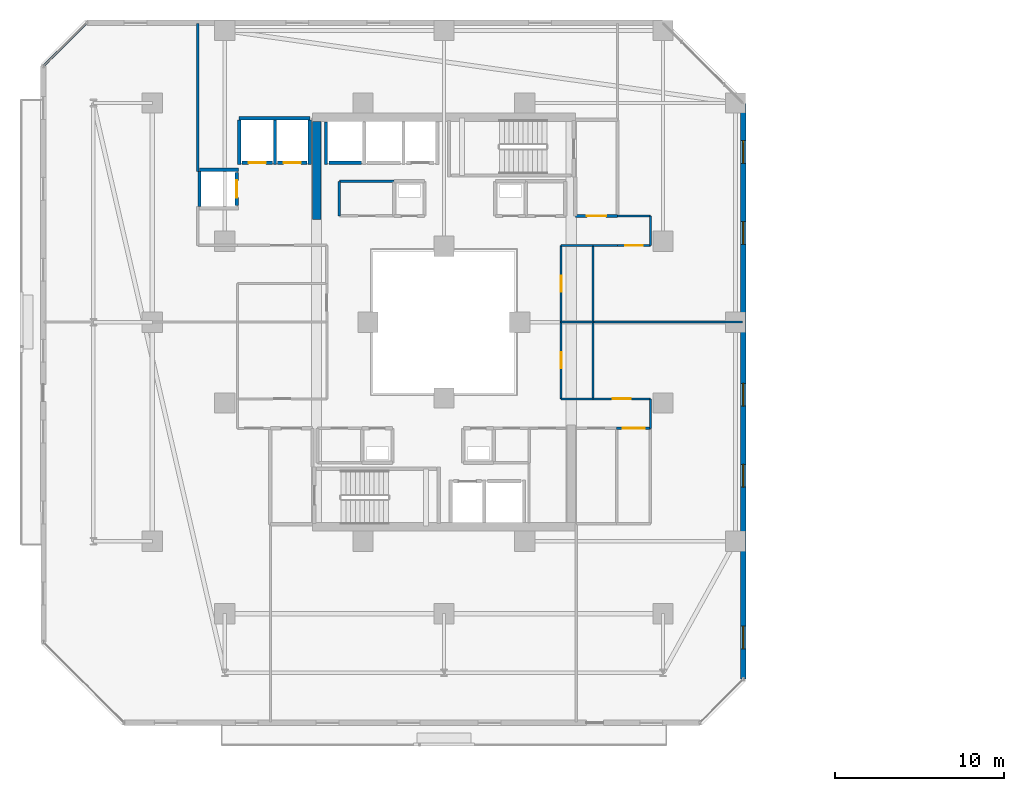
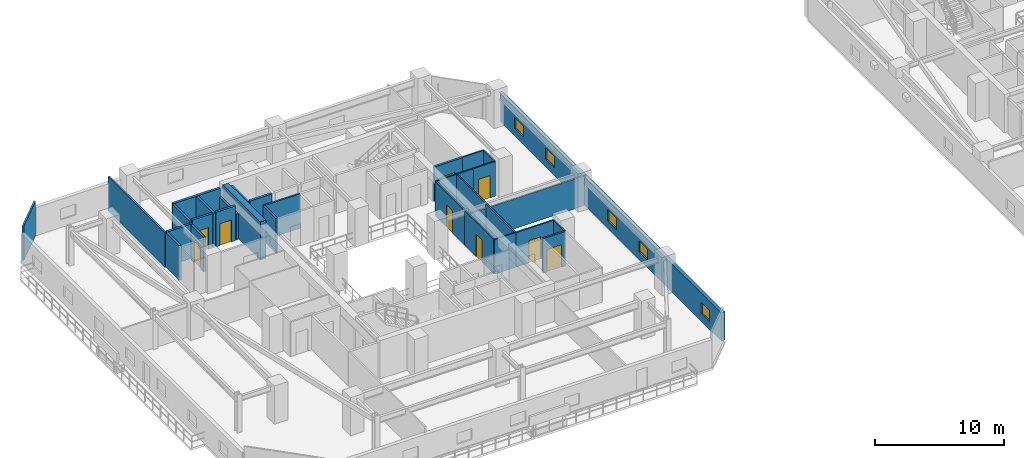
# One storey, part 20 of 34: 33 walls, 9 doors, 5 windows, 14 openings.
"""IFC4 building model written with IfcOpenShell, lengths in metres."""

from ifc_helpers import new_model, si_unit, direction, frame, frame_2d, origin, place, context, subcontext, project, spatial, rectangle, extrude, material, layer, layer_set, type_object, element, fill, save


model = new_model("IFC4")

# Units and contexts
model_context = context("Model", 3, precision=1e-05, world=origin(), true_north=direction((0.0, 1.0)))
body_context = subcontext(model_context, "Body", "Model", "MODEL_VIEW")
ifc_project = project(units=[si_unit("LENGTHUNIT", "METRE"), si_unit("AREAUNIT", "SQUARE_METRE"), si_unit("VOLUMEUNIT", "CUBIC_METRE"), si_unit("PLANEANGLEUNIT", "RADIAN"), si_unit("MASSUNIT", "GRAM", prefix="KILO")], contexts=[model_context])

# Site, building, storey
site_placement = place(None, origin())
site = spatial("IfcSite", under=ifc_project, at=site_placement, CompositionType="ELEMENT")
building_placement = place(site_placement, origin())
building = spatial("IfcBuilding", under=site, at=building_placement, Name="Thornwick Lancets Civic Towers", CompositionType="ELEMENT")
storey_placement = place(building_placement, frame((0.0, 0.0, 137.699951171875)))
storey = spatial("IfcBuildingStorey", under=building, at=storey_placement, Name="L36", CompositionType="ELEMENT", Elevation=137.699951171875)

# Wall
ifc_material_1 = material(Name="Concrete blockwork C40/50", Category="masonry")
ifc_layer_1 = layer(ifc_material_1, 0.199951171875, Name="Concrete blockwork C40/50")
ifc_layer_set_1 = layer_set([ifc_layer_1], Name="Concrete blockwork C40/50")
wall_type_1 = type_object("IfcWallType", Name="WALL_COMP_200", PredefinedType="STANDARD", material=ifc_layer_set_1)
wall_1_placement = place(storey_placement, frame((20.6201171875, 36.449951171875, 0.0), z_axis=(0.0, 0.0, 1.0), x_axis=(-1.0, 0.0, 0.0)))
element("IfcWall", 1, at=wall_1_placement, inside=storey, type_object=wall_type_1, Name="L36 Hoistway Front Wall PL-AH3", PredefinedType="STANDARD", context=body_context, shape_type="SweptSolid", body=[
    extrude(rectangle(XDim=1.940185546875, YDim=0.199951171875, at=frame_2d((0.97021484375, 0.0))), origin(), (0.0, 0.0, 1.0), 3.260009765625),
])

# Wall, opening, door
wall_2_placement = place(storey_placement, frame((17.3701171875, 36.449951171875, 0.0), z_axis=(0.0, 0.0, 1.0), x_axis=(-1.0, 0.0, 0.0)))
wall_2 = element("IfcWall", 2, at=wall_2_placement, inside=storey, type_object=wall_type_1, Name="L36 Hoistway Front Wall PL-AM1", PredefinedType="STANDARD", context=body_context, shape_type="SweptSolid", body=[
    extrude(rectangle(XDim=1.740234375, YDim=0.199951171875, at=frame_2d((0.8701171875, 0.0))), origin(), (0.0, 0.0, 1.0), 3.260009765625),
])
opening_1_placement = place(wall_2_placement, frame((0.360107421875, 0.0, 0.0)))
opening_1 = element("IfcOpeningElement", 3, at=opening_1_placement, cuts=wall_2, Name="Opening LD-PL-AM1", PredefinedType="OPENING", context=body_context, shape_type="SweptSolid", body=[
    extrude(rectangle(XDim=1.02001953125, YDim=2.06005859375, at=frame_2d((0.510009765625, 1.030029296875))), frame((0.0, 0.10986328125, 0.0), z_axis=(0.0, -1.0, 0.0), x_axis=(1.0, 0.0, 0.0)), (0.0, 0.0, 1.0), 0.219970703125),
])
ifc_material_2 = material(Name="Brushed bronze stainless steel", Category="steel")
door_type_1 = type_object("IfcDoorType", Name="DOOR_LIFT_SLIDE", OperationType="SLIDING_TO_LEFT", PredefinedType="DOOR", material=ifc_material_2)
door_1_placement = place(opening_1_placement, origin())
door_1 = element("IfcDoor", 4, at=door_1_placement, inside=storey, type_object=door_type_1, Name="L36 Sliding Lift Landing Door LD-PL-AM1", OperationType="SLIDING_TO_LEFT", OverallHeight=2.06005859375, OverallWidth=1.02001953125, PredefinedType="DOOR", context=body_context, shape_type="SweptSolid", body=[
    extrude(rectangle(XDim=1.02001953125, YDim=2.06005859375, at=frame_2d((0.510009765625, 1.030029296875))), frame((0.0, 0.02490234375, 0.0), z_axis=(0.0, -1.0, 0.0), x_axis=(1.0, 0.0, 0.0)), (0.0, 0.0, 1.0), 0.050048828125),
])
fill(opening_1, door_1)

wall_3_placement = place(storey_placement, frame((15.320068359375, 36.449951171875, 0.0), z_axis=(0.0, 0.0, 1.0), x_axis=(-1.0, 0.0, 0.0)))
wall_3 = element("IfcWall", 5, at=wall_3_placement, inside=storey, type_object=wall_type_1, Name="L36 Hoistway Front Wall PL-AM2", PredefinedType="STANDARD", context=body_context, shape_type="SweptSolid", body=[
    extrude(rectangle(XDim=1.7900390625, YDim=0.199951171875, at=frame_2d((0.89501953125, 0.0))), origin(), (0.0, 0.0, 1.0), 3.260009765625),
])
opening_2_placement = place(wall_3_placement, frame((0.385009765625, 0.0, 0.0)))
opening_2 = element("IfcOpeningElement", 6, at=opening_2_placement, cuts=wall_3, Name="Opening LD-PL-AM2", PredefinedType="OPENING", context=body_context, shape_type="SweptSolid", body=[
    extrude(rectangle(XDim=1.02001953125, YDim=2.06005859375, at=frame_2d((0.510009765625, 1.030029296875))), frame((0.0, 0.10986328125, 0.0), z_axis=(0.0, -1.0, 0.0), x_axis=(1.0, 0.0, 0.0)), (0.0, 0.0, 1.0), 0.219970703125),
])
door_2_placement = place(opening_2_placement, origin())
door_2 = element("IfcDoor", 7, at=door_2_placement, inside=storey, type_object=door_type_1, Name="L36 Sliding Lift Landing Door LD-PL-AM2", OperationType="SLIDING_TO_LEFT", OverallHeight=2.06005859375, OverallWidth=1.02001953125, PredefinedType="DOOR", context=body_context, shape_type="SweptSolid", body=[
    extrude(rectangle(XDim=1.02001953125, YDim=2.06005859375, at=frame_2d((0.510009765625, 1.030029296875))), frame((0.0, 0.02490234375, 0.0), z_axis=(0.0, -1.0, 0.0), x_axis=(1.0, 0.0, 0.0)), (0.0, 0.0, 1.0), 0.050048828125),
])
fill(opening_2, door_2)

wall_4_placement = place(storey_placement, frame((13.199951171875, 33.929931640625, 0.0), z_axis=(0.0, 0.0, 1.0), x_axis=(0.0, 1.0, 0.0)))
wall_4 = element("IfcWall", 8, at=wall_4_placement, inside=storey, type_object=wall_type_1, Name="L36 Hoistway Front Wall PL-AM3", PredefinedType="STANDARD", context=body_context, shape_type="SweptSolid", body=[
    extrude(rectangle(XDim=1.940185546875, YDim=0.199951171875, at=frame_2d((0.97021484375, 0.0))), origin(), (0.0, 0.0, 1.0), 3.260009765625),
])
opening_3_placement = place(wall_4_placement, frame((0.4599609375, 0.0, 0.0)))
opening_3 = element("IfcOpeningElement", 9, at=opening_3_placement, cuts=wall_4, Name="Opening LD-PL-AM3", PredefinedType="OPENING", context=body_context, shape_type="SweptSolid", body=[
    extrude(rectangle(XDim=1.02001953125, YDim=2.06005859375, at=frame_2d((0.510009765625, 1.030029296875))), frame((0.0, 0.10986328125, 0.0), z_axis=(0.0, -1.0, 0.0), x_axis=(1.0, 0.0, 0.0)), (0.0, 0.0, 1.0), 0.219970703125),
])
door_3_placement = place(opening_3_placement, origin())
door_3 = element("IfcDoor", 10, at=door_3_placement, inside=storey, type_object=door_type_1, Name="L36 Sliding Lift Landing Door LD-PL-AM3", OperationType="SLIDING_TO_LEFT", OverallHeight=2.06005859375, OverallWidth=1.02001953125, PredefinedType="DOOR", context=body_context, shape_type="SweptSolid", body=[
    extrude(rectangle(XDim=1.02001953125, YDim=2.06005859375, at=frame_2d((0.510009765625, 1.030029296875))), frame((0.0, 0.02490234375, 0.0), z_axis=(0.0, -1.0, 0.0), x_axis=(1.0, 0.0, 0.0)), (0.0, 0.0, 1.0), 0.050048828125),
])
fill(opening_3, door_3)

# Walls
wall_5_placement = place(storey_placement, frame((18.5, 36.35205078125, 0.0), z_axis=(0.0, 0.0, 1.0), x_axis=(0.0, 1.0, 0.0)))
element("IfcWall", 11, at=wall_5_placement, inside=storey, type_object=wall_type_1, Name="L36 Hoistway Shaft Wall PL-AH3 W", PredefinedType="STANDARD", context=body_context, shape_type="SweptSolid", body=[
    extrude(rectangle(XDim=2.535888671875, YDim=0.199951171875, at=frame_2d((1.26806640625, 0.0))), origin(), (0.0, 0.0, 1.0), 3.260009765625),
])
wall_6_placement = place(storey_placement, frame((13.35205078125, 39.10009765625, 0.0), z_axis=(0.0, 0.0, 1.0), x_axis=(1.0, 0.0, 0.0)))
element("IfcWall", 12, at=wall_6_placement, inside=storey, type_object=wall_type_1, Name="L36 Hoistway Shaft Wall PL-AM1 N", PredefinedType="STANDARD", context=body_context, shape_type="SweptSolid", body=[
    extrude(rectangle(XDim=4.196044921875, YDim=0.199951171875, at=frame_2d((2.09814453125, 0.0))), origin(), (0.0, 0.0, 1.0), 3.260009765625),
])
wall_7_placement = place(storey_placement, frame((17.550048828125, 36.35205078125, 0.0), z_axis=(0.0, 0.0, 1.0), x_axis=(0.0, 1.0, 0.0)))
element("IfcWall", 13, at=wall_7_placement, inside=storey, type_object=wall_type_1, Name="L36 Hoistway Shaft Wall PL-AM1 E", PredefinedType="STANDARD", context=body_context, shape_type="SweptSolid", body=[
    extrude(rectangle(XDim=2.635986328125, YDim=0.199951171875, at=frame_2d((1.31787109375, 0.0))), origin(), (0.0, 0.0, 1.0), 2.465087890625),
])
for number, where, z_axis, x_axis, name in (
    (14, (15.47509765625, 36.35205078125, 0.0), (0.0, 0.0, 1.0), (0.0, 1.0, 0.0), "L36 Hoistway Shaft Wall PL-AM1 W"),
    (15, (13.35009765625, 36.35205078125, 0.0), (0.0, 0.0, 1.0), (0.0, 1.0, 0.0), "L36 Hoistway Shaft Wall PL-AM2 W"),
):
    element("IfcWall", number, at=place(storey_placement, frame(where, z_axis=z_axis, x_axis=x_axis)), inside=storey, type_object=wall_type_1, Name=name, PredefinedType="STANDARD", context=body_context, shape_type="SweptSolid", body=[
        extrude(rectangle(XDim=2.635986328125, YDim=0.199951171875, at=frame_2d((1.31787109375, 0.0))), origin(), (0.0, 0.0, 1.0), 3.260009765625),
    ])
wall_8_placement = place(storey_placement, frame((11.001953125, 36.050048828125, 0.0), z_axis=(0.0, 0.0, 1.0), x_axis=(1.0, 0.0, 0.0)))
element("IfcWall", 16, at=wall_8_placement, inside=storey, type_object=wall_type_1, Name="L36 Hoistway Shaft Wall PL-AM3 N", PredefinedType="STANDARD", context=body_context, shape_type="SweptSolid", body=[
    extrude(rectangle(XDim=2.296142578125, YDim=0.199951171875, at=frame_2d((1.14794921875, 0.0))), origin(), (0.0, 0.0, 1.0), 3.260009765625),
])
wall_9_placement = place(storey_placement, frame((11.0, 33.862060546875, 0.0), z_axis=(0.0, 0.0, 1.0), x_axis=(0.0, 1.0, 0.0)))
element("IfcWall", 17, at=wall_9_placement, inside=storey, type_object=wall_type_1, Name="L36 Hoistway Shaft Wall PL-AM3 W", PredefinedType="STANDARD", context=body_context, shape_type="SweptSolid", body=[
    extrude(rectangle(XDim=2.075927734375, YDim=0.199951171875, at=frame_2d((1.0380859375, 0.0))), origin(), (0.0, 0.0, 1.0), 3.260009765625),
])

# Wall, opening, door
wall_10_placement = place(storey_placement, frame((33.300048828125, 33.300048828125, 0.0), z_axis=(0.0, 0.0, 1.0), x_axis=(1.0, 0.0, 0.0)))
wall_10 = element("IfcWall", 18, at=wall_10_placement, inside=storey, type_object=wall_type_1, Name="L36 Partition L36-A-FFLOB2 E1", PredefinedType="STANDARD", context=body_context, shape_type="SweptSolid", body=[
    extrude(rectangle(XDim=2.5, YDim=0.199951171875, at=frame_2d((1.25, 0.0))), origin(), (0.0, 0.0, 1.0), 3.260009765625),
])
opening_4_placement = place(wall_10_placement, frame((0.675048828125, 0.0, 0.0)))
opening_4 = element("IfcOpeningElement", 19, at=opening_4_placement, cuts=wall_10, Name="Opening D-L36-1622", PredefinedType="OPENING", context=body_context, shape_type="SweptSolid", body=[
    extrude(rectangle(XDim=1.14990234375, YDim=2.10009765625, at=frame_2d((0.574951171875, 1.050048828125))), frame((0.0, 0.10986328125, 0.0), z_axis=(0.0, -1.0, 0.0), x_axis=(1.0, 0.0, 0.0)), (0.0, 0.0, 1.0), 0.219970703125),
])
ifc_material_3 = material(Name="Glazed fire-resisting steel", Category="steel")
door_type_2 = type_object("IfcDoorType", Name="DOOR_LOBBY_FD60", OperationType="NOTDEFINED", PredefinedType="DOOR", material=ifc_material_3)
door_4_placement = place(opening_4_placement, origin())
door_4 = element("IfcDoor", 20, at=door_4_placement, inside=storey, type_object=door_type_2, Name="L36 North Firefighting Lobby 2 Door", OperationType="SINGLE_SWING_LEFT", OverallHeight=2.10009765625, OverallWidth=1.14990234375, PredefinedType="DOOR", context=body_context, shape_type="SweptSolid", body=[
    extrude(rectangle(XDim=1.14990234375, YDim=2.10009765625, at=frame_2d((0.574951171875, 1.050048828125))), frame((0.0, 0.02490234375, 0.0), z_axis=(0.0, -1.0, 0.0), x_axis=(1.0, 0.0, 0.0)), (0.0, 0.0, 1.0), 0.050048828125),
])
fill(opening_4, door_4)

# Wall
ifc_material_4 = material(Name="Concrete C50/60", Category="concrete")
ifc_layer_2 = layer(ifc_material_4, 0.5, Name="Concrete C50/60")
ifc_layer_set_2 = layer_set([ifc_layer_2], Name="Concrete C50/60")
wall_type_2 = type_object("IfcWallType", Name="WALL_CORE_500", PredefinedType="SHEAR", material=ifc_layer_set_2)
wall_11_placement = place(storey_placement, frame((17.949951171875, 33.10009765625, 0.0), z_axis=(0.0, 0.0, 1.0), x_axis=(0.0, 1.0, 0.0)))
element("IfcWall", 21, at=wall_11_placement, inside=storey, type_object=wall_type_2, Name="L36 Split Core A2 Shear Wall W", PredefinedType="SHEAR", context=body_context, shape_type="SweptSolid", body=[
    extrude(rectangle(XDim=5.7998046875, YDim=0.5, at=frame_2d((2.89990234375, 0.0))), origin(), (0.0, 0.0, 1.0), 3.60009765625),
])

# Wall, openings, windows
ifc_material_5 = material(Name="Insulated buff terracotta rainscreen on concrete C40/50", Category="masonry")
ifc_layer_3 = layer(ifc_material_5, 0.320068359375, Name="Insulated buff terracotta rainscreen on concrete C40/50")
ifc_layer_set_3 = layer_set([ifc_layer_3], Name="Insulated buff terracotta rainscreen on concrete C40/50")
wall_type_3 = type_object("IfcWallType", Name="WALL_EXT_TERRA_320", PredefinedType="STANDARD", material=ifc_layer_set_3)
wall_12_placement = place(storey_placement, frame((43.2646484375, 5.818603515625, 0.0), z_axis=(0.0, 0.0, 1.0), x_axis=(-0.000214431216, 0.99999997701, 0.0)))
wall_12 = element("IfcWall", 22, at=wall_12_placement, inside=storey, type_object=wall_type_3, Name="L36 Tower A Terracotta Facade Wall E2", PredefinedType="STANDARD", context=body_context, shape_type="SweptSolid", body=[
    extrude(rectangle(XDim=34.156494140625, YDim=0.320068359375, at=frame_2d((17.078125, 0.0))), origin(), (0.0, 0.0, 1.0), 2.66015625),
])
opening_5_placement = place(wall_12_placement, frame((1.800048828125, 0.0, 0.719970703125)))
opening_5 = element("IfcOpeningElement", 23, at=opening_5_placement, cuts=wall_12, Name="Opening WL-03", PredefinedType="OPENING", context=body_context, shape_type="SweptSolid", body=[
    extrude(rectangle(XDim=1.35009765625, YDim=1.050048828125, at=frame_2d((0.675048828125, 0.52490234375))), frame((0.0, 0.169921875, 0.0), z_axis=(0.0, -1.0, 0.0), x_axis=(1.0, 0.0, 0.0)), (0.0, 0.0, 1.0), 0.340087890625),
])
opening_6_placement = place(wall_12_placement, frame((11.39990234375, 0.0, 0.719970703125)))
opening_6 = element("IfcOpeningElement", 24, at=opening_6_placement, cuts=wall_12, Name="Opening WL-03", PredefinedType="OPENING", context=body_context, shape_type="SweptSolid", body=[
    extrude(rectangle(XDim=1.35009765625, YDim=1.050048828125, at=frame_2d((0.675048828125, 0.52490234375))), frame((0.0, 0.169921875, 0.0), z_axis=(0.0, -1.0, 0.0), x_axis=(1.0, 0.0, 0.0)), (0.0, 0.0, 1.0), 0.340087890625),
])
opening_7_placement = place(wall_12_placement, frame((16.199951171875, 0.0, 0.719970703125)))
opening_7 = element("IfcOpeningElement", 25, at=opening_7_placement, cuts=wall_12, Name="Opening WL-03", PredefinedType="OPENING", context=body_context, shape_type="SweptSolid", body=[
    extrude(rectangle(XDim=1.35009765625, YDim=1.050048828125, at=frame_2d((0.675048828125, 0.52490234375))), frame((0.0, 0.169921875, 0.0), z_axis=(0.0, -1.0, 0.0), x_axis=(1.0, 0.0, 0.0)), (0.0, 0.0, 1.0), 0.340087890625),
])
opening_8_placement = place(wall_12_placement, frame((25.800048828125, 0.0, 0.719970703125)))
opening_8 = element("IfcOpeningElement", 26, at=opening_8_placement, cuts=wall_12, Name="Opening WL-03", PredefinedType="OPENING", context=body_context, shape_type="SweptSolid", body=[
    extrude(rectangle(XDim=1.35009765625, YDim=1.050048828125, at=frame_2d((0.675048828125, 0.52490234375))), frame((0.0, 0.169921875, 0.0), z_axis=(0.0, -1.0, 0.0), x_axis=(1.0, 0.0, 0.0)), (0.0, 0.0, 1.0), 0.340087890625),
])
opening_9_placement = place(wall_12_placement, frame((30.60009765625, 0.0, 0.719970703125)))
opening_9 = element("IfcOpeningElement", 27, at=opening_9_placement, cuts=wall_12, Name="Opening WL-03", PredefinedType="OPENING", context=body_context, shape_type="SweptSolid", body=[
    extrude(rectangle(XDim=1.35009765625, YDim=1.050048828125, at=frame_2d((0.675048828125, 0.52490234375))), frame((0.0, 0.169921875, 0.0), z_axis=(0.0, -1.0, 0.0), x_axis=(1.0, 0.0, 0.0)), (0.0, 0.0, 1.0), 0.340087890625),
])
ifc_material_6 = material(Name="Clear low-e double glazing clerestory lancet", Category="glass")
window_type = type_object("IfcWindowType", Name="WIN_LANCET_1350", PartitioningType="SINGLE_PANEL", PredefinedType="WINDOW", material=ifc_material_6)
window_1_placement = place(opening_5_placement, origin())
window_1 = element("IfcWindow", 28, at=window_1_placement, inside=storey, type_object=window_type, Name="L36 Tower A Staggered Lancet Window E2-1", OverallHeight=1.050048828125, OverallWidth=1.35009765625, PartitioningType="SINGLE_PANEL", PredefinedType="WINDOW", context=body_context, shape_type="SweptSolid", body=[
    extrude(rectangle(XDim=1.35009765625, YDim=1.050048828125, at=frame_2d((0.675048828125, 0.52490234375))), frame((0.0, 0.030029296875, 0.0), z_axis=(0.0, -1.0, 0.0), x_axis=(1.0, 0.0, 0.0)), (0.0, 0.0, 1.0), 0.06005859375),
])
fill(opening_5, window_1)
window_2_placement = place(opening_6_placement, origin())
window_2 = element("IfcWindow", 29, at=window_2_placement, inside=storey, type_object=window_type, Name="L36 Tower A Staggered Lancet Window E2-2", OverallHeight=1.050048828125, OverallWidth=1.35009765625, PartitioningType="SINGLE_PANEL", PredefinedType="WINDOW", context=body_context, shape_type="SweptSolid", body=[
    extrude(rectangle(XDim=1.35009765625, YDim=1.050048828125, at=frame_2d((0.675048828125, 0.52490234375))), frame((0.0, 0.030029296875, 0.0), z_axis=(0.0, -1.0, 0.0), x_axis=(1.0, 0.0, 0.0)), (0.0, 0.0, 1.0), 0.06005859375),
])
fill(opening_6, window_2)
window_3_placement = place(opening_7_placement, origin())
window_3 = element("IfcWindow", 30, at=window_3_placement, inside=storey, type_object=window_type, Name="L36 Tower A Staggered Lancet Window E2-3", OverallHeight=1.050048828125, OverallWidth=1.35009765625, PartitioningType="SINGLE_PANEL", PredefinedType="WINDOW", context=body_context, shape_type="SweptSolid", body=[
    extrude(rectangle(XDim=1.35009765625, YDim=1.050048828125, at=frame_2d((0.675048828125, 0.52490234375))), frame((0.0, 0.030029296875, 0.0), z_axis=(0.0, -1.0, 0.0), x_axis=(1.0, 0.0, 0.0)), (0.0, 0.0, 1.0), 0.06005859375),
])
fill(opening_7, window_3)
window_4_placement = place(opening_8_placement, origin())
window_4 = element("IfcWindow", 31, at=window_4_placement, inside=storey, type_object=window_type, Name="L36 Tower A Staggered Lancet Window E2-4", OverallHeight=1.050048828125, OverallWidth=1.35009765625, PartitioningType="SINGLE_PANEL", PredefinedType="WINDOW", context=body_context, shape_type="SweptSolid", body=[
    extrude(rectangle(XDim=1.35009765625, YDim=1.050048828125, at=frame_2d((0.675048828125, 0.52490234375))), frame((0.0, 0.030029296875, 0.0), z_axis=(0.0, -1.0, 0.0), x_axis=(1.0, 0.0, 0.0)), (0.0, 0.0, 1.0), 0.06005859375),
])
fill(opening_8, window_4)
window_5_placement = place(opening_9_placement, origin())
window_5 = element("IfcWindow", 32, at=window_5_placement, inside=storey, type_object=window_type, Name="L36 Tower A Staggered Lancet Window E2-5", OverallHeight=1.050048828125, OverallWidth=1.35009765625, PartitioningType="SINGLE_PANEL", PredefinedType="WINDOW", context=body_context, shape_type="SweptSolid", body=[
    extrude(rectangle(XDim=1.35009765625, YDim=1.050048828125, at=frame_2d((0.675048828125, 0.52490234375))), frame((0.0, 0.030029296875, 0.0), z_axis=(0.0, -1.0, 0.0), x_axis=(1.0, 0.0, 0.0)), (0.0, 0.0, 1.0), 0.06005859375),
])
fill(opening_9, window_5)

# Wall, opening, door
ifc_material_7 = material(Name="Acoustic gypsum board partition")
ifc_layer_4 = layer(ifc_material_7, 0.1201171875, Name="Acoustic gypsum board partition")
ifc_layer_set_4 = layer_set([ifc_layer_4], Name="Acoustic gypsum board partition")
wall_type_4 = type_object("IfcWallType", Name="WALL_PART_120", PredefinedType="PARTITIONING", material=ifc_layer_set_4)
wall_13_placement = place(storey_placement, frame((32.449951171875, 22.449951171875, 0.0), z_axis=(0.0, 0.0, 1.0), x_axis=(0.0, 1.0, 0.0)))
wall_13 = element("IfcWall", 33, at=wall_13_placement, inside=storey, type_object=wall_type_4, Name="L36 Partition L36-A-E1 E1", PredefinedType="PARTITIONING", context=body_context, shape_type="SweptSolid", body=[
    extrude(rectangle(XDim=4.550048828125, YDim=0.1201171875, at=frame_2d((2.27490234375, 0.0))), origin(), (0.0, 0.0, 1.0), 3.260009765625),
])
opening_10_placement = place(wall_13_placement, frame((1.800048828125, 0.0, 0.0)))
opening_10 = element("IfcOpeningElement", 34, at=opening_10_placement, cuts=wall_13, Name="Opening D-L36-1649", PredefinedType="OPENING", context=body_context, shape_type="SweptSolid", body=[
    extrude(rectangle(XDim=0.949951171875, YDim=2.10009765625, at=frame_2d((0.47509765625, 1.050048828125))), frame((0.0, 0.070068359375, 0.0), z_axis=(0.0, -1.0, 0.0), x_axis=(1.0, 0.0, 0.0)), (0.0, 0.0, 1.0), 0.14013671875),
])
ifc_material_8 = material(Name="European oak acoustic doorset")
door_type_3 = type_object("IfcDoorType", Name="DOOR_OFFICE_950", OperationType="NOTDEFINED", PredefinedType="DOOR", material=ifc_material_8)
door_5_placement = place(opening_10_placement, origin())
door_5 = element("IfcDoor", 35, at=door_5_placement, inside=storey, type_object=door_type_3, Name="L36 Tower A Visitors Reception and Waiting Door", OperationType="SINGLE_SWING_RIGHT", OverallHeight=2.10009765625, OverallWidth=0.949951171875, PredefinedType="DOOR", context=body_context, shape_type="SweptSolid", body=[
    extrude(rectangle(XDim=0.949951171875, YDim=2.10009765625, at=frame_2d((0.47509765625, 1.050048828125))), frame((0.0, 0.02490234375, 0.0), z_axis=(0.0, -1.0, 0.0), x_axis=(1.0, 0.0, 0.0)), (0.0, 0.0, 1.0), 0.050048828125),
])
fill(opening_10, door_5)

# Walls
wall_14_placement = place(storey_placement, frame((32.449951171875, 27.0, 0.0), z_axis=(0.0, 0.0, 1.0), x_axis=(1.0, 0.0, 0.0)))
element("IfcWall", 36, at=wall_14_placement, inside=storey, type_object=wall_type_4, Name="L36 Partition L36-A-E1 E2", PredefinedType="PARTITIONING", context=body_context, shape_type="SweptSolid", body=[
    extrude(rectangle(XDim=1.900146484375, YDim=0.1201171875, at=frame_2d((0.9501953125, 0.0))), origin(), (0.0, 0.0, 1.0), 2.8017578125),
])
wall_15_placement = place(storey_placement, frame((34.35009765625, 27.0, 0.0), z_axis=(0.0, 0.0, 1.0), x_axis=(0.0, -1.0, 0.0)))
element("IfcWall", 37, at=wall_15_placement, inside=storey, type_object=wall_type_4, Name="L36 Partition L36-A-E1 E3", PredefinedType="PARTITIONING", context=body_context, shape_type="SweptSolid", body=[
    extrude(rectangle(XDim=4.550048828125, YDim=0.1201171875, at=frame_2d((2.27490234375, 0.0))), origin(), (0.0, 0.0, 1.0), 3.260009765625),
])
wall_16_placement = place(storey_placement, frame((34.35009765625, 22.449951171875, 0.0), z_axis=(0.0, 0.0, 1.0), x_axis=(-1.0, 0.0, 0.0)))
element("IfcWall", 38, at=wall_16_placement, inside=storey, type_object=wall_type_4, Name="L36 Partition L36-A-E1 E4", PredefinedType="PARTITIONING", context=body_context, shape_type="SweptSolid", body=[
    extrude(rectangle(XDim=1.900146484375, YDim=0.1201171875, at=frame_2d((0.9501953125, 0.0))), origin(), (0.0, 0.0, 1.0), 3.260009765625),
])
wall_17_placement = place(storey_placement, frame((37.75, 20.699951171875, 0.0), z_axis=(0.0, 0.0, 1.0), x_axis=(0.0, 1.0, 0.0)))
element("IfcWall", 39, at=wall_17_placement, inside=storey, type_object=wall_type_4, Name="L36 Partition L36-A-E2 E6", PredefinedType="PARTITIONING", context=body_context, shape_type="SweptSolid", body=[
    extrude(rectangle(XDim=1.75, YDim=0.1201171875, at=frame_2d((0.875, 0.0))), origin(), (0.0, 0.0, 1.0), 3.260009765625),
])

# Wall, opening, door
wall_18_placement = place(storey_placement, frame((37.75, 22.449951171875, 0.0), z_axis=(0.0, 0.0, 1.0), x_axis=(-1.0, 0.0, 0.0)))
wall_18 = element("IfcWall", 40, at=wall_18_placement, inside=storey, type_object=wall_type_4, Name="L36 Partition L36-A-E2 E7", PredefinedType="PARTITIONING", context=body_context, shape_type="SweptSolid", body=[
    extrude(rectangle(XDim=3.39990234375, YDim=0.1201171875, at=frame_2d((1.699951171875, 0.0))), origin(), (0.0, 0.0, 1.0), 3.260009765625),
])
opening_11_placement = place(wall_18_placement, frame((1.175048828125, 0.0, 0.0)))
opening_11 = element("IfcOpeningElement", 41, at=opening_11_placement, cuts=wall_18, Name="Opening D-L36-1650", PredefinedType="OPENING", context=body_context, shape_type="SweptSolid", body=[
    extrude(rectangle(XDim=1.050048828125, YDim=2.10009765625, at=frame_2d((0.52490234375, 1.050048828125))), frame((0.0, 0.070068359375, 0.0), z_axis=(0.0, -1.0, 0.0), x_axis=(1.0, 0.0, 0.0)), (0.0, 0.0, 1.0), 0.14013671875),
])
ifc_material_9 = material(Name="Glazed European oak executive doorset")
door_type_4 = type_object("IfcDoorType", Name="DOOR_OFFICE_1050", OperationType="NOTDEFINED", PredefinedType="DOOR", material=ifc_material_9)
door_6_placement = place(opening_11_placement, origin())
door_6 = element("IfcDoor", 42, at=door_6_placement, inside=storey, type_object=door_type_4, Name="L36 Tower A Secretariat Open Office E1 Door", OperationType="SINGLE_SWING_LEFT", OverallHeight=2.10009765625, OverallWidth=1.050048828125, PredefinedType="DOOR", context=body_context, shape_type="SweptSolid", body=[
    extrude(rectangle(XDim=1.050048828125, YDim=2.10009765625, at=frame_2d((0.52490234375, 1.050048828125))), frame((0.0, 0.02490234375, 0.0), z_axis=(0.0, -1.0, 0.0), x_axis=(1.0, 0.0, 0.0)), (0.0, 0.0, 1.0), 0.050048828125),
])
fill(opening_11, door_6)

# Wall
wall_19_placement = place(storey_placement, frame((34.35009765625, 27.0, 0.0), z_axis=(0.0, 0.0, 1.0), x_axis=(1.0, 0.0, 0.0)))
element("IfcWall", 43, at=wall_19_placement, inside=storey, type_object=wall_type_4, Name="L36 Partition L36-A-E2 E9", PredefinedType="PARTITIONING", context=body_context, shape_type="SweptSolid", body=[
    extrude(rectangle(XDim=8.869873046875, YDim=0.1201171875, at=frame_2d((4.43505859375, 0.0))), origin(), (0.0, 0.0, 1.0), 2.8017578125),
])

# Wall, opening, door
wall_20_placement = place(storey_placement, frame((32.449951171875, 27.0, 0.0), z_axis=(0.0, 0.0, 1.0), x_axis=(0.0, 1.0, 0.0)))
wall_20 = element("IfcWall", 44, at=wall_20_placement, inside=storey, type_object=wall_type_4, Name="L36 Partition L36-A-E3 E1", PredefinedType="PARTITIONING", context=body_context, shape_type="SweptSolid", body=[
    extrude(rectangle(XDim=4.550048828125, YDim=0.1201171875, at=frame_2d((2.27490234375, 0.0))), origin(), (0.0, 0.0, 1.0), 3.260009765625),
])
opening_12_placement = place(wall_20_placement, frame((1.800048828125, 0.0, 0.0)))
opening_12 = element("IfcOpeningElement", 45, at=opening_12_placement, cuts=wall_20, Name="Opening D-L36-1651", PredefinedType="OPENING", context=body_context, shape_type="SweptSolid", body=[
    extrude(rectangle(XDim=0.949951171875, YDim=2.10009765625, at=frame_2d((0.47509765625, 1.050048828125))), frame((0.0, 0.070068359375, 0.0), z_axis=(0.0, -1.0, 0.0), x_axis=(1.0, 0.0, 0.0)), (0.0, 0.0, 1.0), 0.14013671875),
])
door_7_placement = place(opening_12_placement, origin())
door_7 = element("IfcDoor", 46, at=door_7_placement, inside=storey, type_object=door_type_3, Name="L36 Tower A Civic Seminar Room Door", OperationType="SINGLE_SWING_RIGHT", OverallHeight=2.10009765625, OverallWidth=0.949951171875, PredefinedType="DOOR", context=body_context, shape_type="SweptSolid", body=[
    extrude(rectangle(XDim=0.949951171875, YDim=2.10009765625, at=frame_2d((0.47509765625, 1.050048828125))), frame((0.0, 0.02490234375, 0.0), z_axis=(0.0, -1.0, 0.0), x_axis=(1.0, 0.0, 0.0)), (0.0, 0.0, 1.0), 0.050048828125),
])
fill(opening_12, door_7)

# Walls
wall_21_placement = place(storey_placement, frame((32.449951171875, 31.550048828125, 0.0), z_axis=(0.0, 0.0, 1.0), x_axis=(1.0, 0.0, 0.0)))
element("IfcWall", 47, at=wall_21_placement, inside=storey, type_object=wall_type_4, Name="L36 Partition L36-A-E3 E2", PredefinedType="PARTITIONING", context=body_context, shape_type="SweptSolid", body=[
    extrude(rectangle(XDim=1.900146484375, YDim=0.1201171875, at=frame_2d((0.9501953125, 0.0))), origin(), (0.0, 0.0, 1.0), 3.260009765625),
])
wall_22_placement = place(storey_placement, frame((34.35009765625, 31.550048828125, 0.0), z_axis=(0.0, 0.0, 1.0), x_axis=(0.0, -1.0, 0.0)))
element("IfcWall", 48, at=wall_22_placement, inside=storey, type_object=wall_type_4, Name="L36 Partition L36-A-E3 E3", PredefinedType="PARTITIONING", context=body_context, shape_type="SweptSolid", body=[
    extrude(rectangle(XDim=4.550048828125, YDim=0.1201171875, at=frame_2d((2.27490234375, 0.0))), origin(), (0.0, 0.0, 1.0), 3.260009765625),
])
wall_23_placement = place(storey_placement, frame((34.35009765625, 31.550048828125, 0.0), z_axis=(0.0, 0.0, 1.0), x_axis=(1.0, 0.0, 0.0)))
element("IfcWall", 49, at=wall_23_placement, inside=storey, type_object=wall_type_4, Name="L36 Partition L36-A-E4 E1", PredefinedType="PARTITIONING", context=body_context, shape_type="SweptSolid", body=[
    extrude(rectangle(XDim=1.449951171875, YDim=0.1201171875, at=frame_2d((0.72509765625, 0.0))), origin(), (0.0, 0.0, 1.0), 3.260009765625),
])

# Wall, opening, door
wall_24_placement = place(storey_placement, frame((35.800048828125, 31.550048828125, 0.0), z_axis=(0.0, 0.0, 1.0), x_axis=(1.0, 0.0, 0.0)))
wall_24 = element("IfcWall", 50, at=wall_24_placement, inside=storey, type_object=wall_type_4, Name="L36 Partition L36-A-E4 E2", PredefinedType="PARTITIONING", context=body_context, shape_type="SweptSolid", body=[
    extrude(rectangle(XDim=1.949951171875, YDim=0.1201171875, at=frame_2d((0.97509765625, 0.0))), origin(), (0.0, 0.0, 1.0), 3.260009765625),
])
opening_13_placement = place(wall_24_placement, frame((0.449951171875, 0.0, 0.0)))
opening_13 = element("IfcOpeningElement", 51, at=opening_13_placement, cuts=wall_24, Name="Opening D-L36-1652", PredefinedType="OPENING", context=body_context, shape_type="SweptSolid", body=[
    extrude(rectangle(XDim=1.050048828125, YDim=2.10009765625, at=frame_2d((0.52490234375, 1.050048828125))), frame((0.0, 0.070068359375, 0.0), z_axis=(0.0, -1.0, 0.0), x_axis=(1.0, 0.0, 0.0)), (0.0, 0.0, 1.0), 0.14013671875),
])
door_8_placement = place(opening_13_placement, origin())
door_8 = element("IfcDoor", 52, at=door_8_placement, inside=storey, type_object=door_type_4, Name="L36 Tower A Counsel Chambers Office E4 Door", OperationType="SINGLE_SWING_LEFT", OverallHeight=2.10009765625, OverallWidth=1.050048828125, PredefinedType="DOOR", context=body_context, shape_type="SweptSolid", body=[
    extrude(rectangle(XDim=1.050048828125, YDim=2.10009765625, at=frame_2d((0.52490234375, 1.050048828125))), frame((0.0, 0.02490234375, 0.0), z_axis=(0.0, -1.0, 0.0), x_axis=(1.0, 0.0, 0.0)), (0.0, 0.0, 1.0), 0.050048828125),
])
fill(opening_13, door_8)

# Walls
wall_25_placement = place(storey_placement, frame((37.75, 31.550048828125, 0.0), z_axis=(0.0, 0.0, 1.0), x_axis=(0.0, 1.0, 0.0)))
element("IfcWall", 53, at=wall_25_placement, inside=storey, type_object=wall_type_4, Name="L36 Partition L36-A-E4 E3", PredefinedType="PARTITIONING", context=body_context, shape_type="SweptSolid", body=[
    extrude(rectangle(XDim=1.75, YDim=0.1201171875, at=frame_2d((0.875, 0.0))), origin(), (0.0, 0.0, 1.0), 3.260009765625),
])
wall_26_placement = place(storey_placement, frame((37.75, 33.300048828125, 0.0), z_axis=(0.0, 0.0, 1.0), x_axis=(-1.0, 0.0, 0.0)))
element("IfcWall", 54, at=wall_26_placement, inside=storey, type_object=wall_type_4, Name="L36 Partition L36-A-E4 E4", PredefinedType="PARTITIONING", context=body_context, shape_type="SweptSolid", body=[
    extrude(rectangle(XDim=1.949951171875, YDim=0.1201171875, at=frame_2d((0.97509765625, 0.0))), origin(), (0.0, 0.0, 1.0), 3.260009765625),
])
ifc_material_10 = material(Name="Twin-stud acoustic gypsum board")
ifc_layer_5 = layer(ifc_material_10, 0.14990234375, Name="Twin-stud acoustic gypsum board")
ifc_layer_set_5 = layer_set([ifc_layer_5], Name="Twin-stud acoustic gypsum board")
wall_type_5 = type_object("IfcWallType", Name="WALL_PART_150", PredefinedType="PARTITIONING", material=ifc_layer_set_5)
wall_27_placement = place(storey_placement, frame((19.300048828125, 33.300048828125, 0.0), z_axis=(0.0, 0.0, 1.0), x_axis=(0.0, 1.0, 0.0)))
element("IfcWall", 55, at=wall_27_placement, inside=storey, type_object=wall_type_5, Name="L36 Partition L36-A-FWC E1", PredefinedType="PARTITIONING", context=body_context, shape_type="SweptSolid", body=[
    extrude(rectangle(XDim=2.050048828125, YDim=0.14990234375, at=frame_2d((1.02490234375, 0.0))), origin(), (0.0, 0.0, 1.0), 3.260009765625),
])
wall_28_placement = place(storey_placement, frame((19.300048828125, 35.35009765625, 0.0), z_axis=(0.0, 0.0, 1.0), x_axis=(1.0, 0.0, 0.0)))
element("IfcWall", 56, at=wall_28_placement, inside=storey, type_object=wall_type_5, Name="L36 Partition L36-A-FWC E2", PredefinedType="PARTITIONING", context=body_context, shape_type="SweptSolid", body=[
    extrude(rectangle(XDim=3.25, YDim=0.14990234375, at=frame_2d((1.625, 0.0))), origin(), (0.0, 0.0, 1.0), 3.260009765625),
])

# Wall, opening, door
wall_29_placement = place(storey_placement, frame((35.75, 20.699951171875, 0.0), z_axis=(0.0, 0.0, 1.0), x_axis=(1.0, 0.0, 0.0)))
wall_29 = element("IfcWall", 57, at=wall_29_placement, inside=storey, type_object=wall_type_5, Name="L36 Partition L36-A-RECLAIM-L2 E3", PredefinedType="PARTITIONING", context=body_context, shape_type="SweptSolid", body=[
    extrude(rectangle(XDim=2.0, YDim=0.14990234375, at=frame_2d((1.0, 0.0))), origin(), (0.0, 0.0, 1.0), 3.260009765625),
])
opening_14_placement = place(wall_29_placement, frame((0.35009765625, 0.0, 0.0)))
opening_14 = element("IfcOpeningElement", 58, at=opening_14_placement, cuts=wall_29, Name="Opening D-L36-1644", PredefinedType="OPENING", context=body_context, shape_type="SweptSolid", body=[
    extrude(rectangle(XDim=1.300048828125, YDim=2.1201171875, at=frame_2d((0.64990234375, 1.06005859375))), frame((0.0, 0.0849609375, 0.0), z_axis=(0.0, -1.0, 0.0), x_axis=(1.0, 0.0, 0.0)), (0.0, 0.0, 1.0), 0.169921875),
])
ifc_material_11 = material(Name="Acoustic oak leaf-and-a-half doorset")
door_type_5 = type_object("IfcDoorType", Name="DOOR_MEET_1300", OperationType="DOUBLE_DOOR_SINGLE_SWING", PredefinedType="DOOR", material=ifc_material_11)
door_9_placement = place(opening_14_placement, origin())
door_9 = element("IfcDoor", 59, at=door_9_placement, inside=storey, type_object=door_type_5, Name="L36 Tower A Ministerial Consultation Room Door", OperationType="DOUBLE_DOOR_SINGLE_SWING", OverallHeight=2.1201171875, OverallWidth=1.300048828125, PredefinedType="DOOR", context=body_context, shape_type="SweptSolid", body=[
    extrude(rectangle(XDim=1.300048828125, YDim=2.1201171875, at=frame_2d((0.64990234375, 1.06005859375))), frame((0.0, 0.02490234375, 0.0), z_axis=(0.0, -1.0, 0.0), x_axis=(1.0, 0.0, 0.0)), (0.0, 0.0, 1.0), 0.050048828125),
])
fill(opening_14, door_9)

# Walls
wall_30_placement = place(storey_placement, frame((1.780029296875, 42.225341796875, 0.0), z_axis=(0.0, 0.0, 1.0), x_axis=(0.707106781187, 0.707106781187, 0.0)))
element("IfcWall", 60, at=wall_30_placement, inside=storey, type_object=wall_type_5, Name="L36 Partition L36-A-W4 E7", PredefinedType="PARTITIONING", context=body_context, shape_type="SweptSolid", body=[
    extrude(rectangle(XDim=3.52783203125, YDim=0.14990234375, at=frame_2d((1.763916015625, 0.0))), origin(), (0.0, 0.0, 1.0), 3.260009765625),
])
wall_31_placement = place(storey_placement, frame((10.89990234375, 44.719970703125, 0.0), z_axis=(0.0, 0.0, 1.0), x_axis=(0.0, -1.0, 0.0)))
element("IfcWall", 61, at=wall_31_placement, inside=storey, type_object=wall_type_5, Name="L36 Partition L36-A-W4 E9", PredefinedType="PARTITIONING", context=body_context, shape_type="SweptSolid", body=[
    extrude(rectangle(XDim=8.781982421875, YDim=0.14990234375, at=frame_2d((4.39111328125, 0.0))), origin(), (0.0, 0.0, 1.0), 3.260009765625),
])

save(model, "model.ifc")
